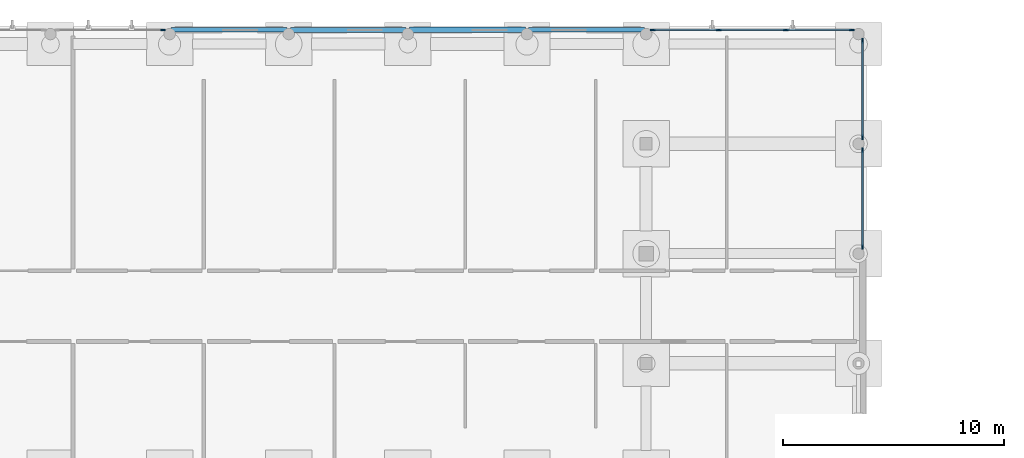
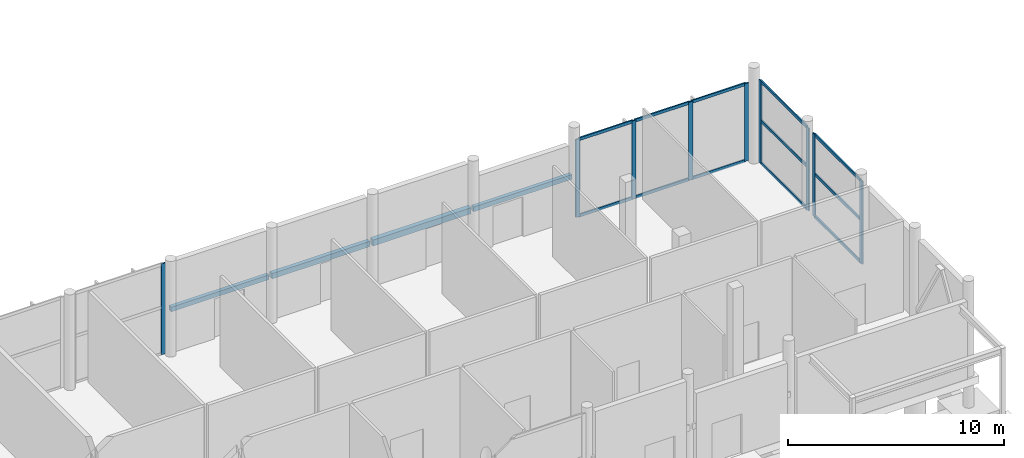
# One storey, part 38 of 88: 21 members, 4 beams, 4 elements without a shape of their own.
"""IFC4 building model written with IfcOpenShell, lengths in metres."""

from ifc_helpers import new_model, si_unit, direction, frame, origin, origin_2d, place, context, subcontext, project, spatial, rectangle, extrude, material, layer, layer_set, material_profile, profile_set, type_object, element, aggregate, save


model = new_model("IFC4")

# Units and contexts
model_context = context("Model", 3, precision=1e-05, world=origin(), true_north=direction((0.0, 1.0)))
body_context = subcontext(model_context, "Body", "Model", "MODEL_VIEW")
ifc_project = project(units=[si_unit("LENGTHUNIT", "METRE"), si_unit("AREAUNIT", "SQUARE_METRE"), si_unit("VOLUMEUNIT", "CUBIC_METRE"), si_unit("PLANEANGLEUNIT", "RADIAN"), si_unit("MASSUNIT", "GRAM", prefix="KILO")], contexts=[model_context])

# Site, building, storey
site_placement = place(None, origin())
site = spatial("IfcSite", under=ifc_project, at=site_placement, CompositionType="ELEMENT")
building_placement = place(site_placement, origin())
building = spatial("IfcBuilding", under=site, at=building_placement, Name="Birchvale Park Specialist Clinic", CompositionType="ELEMENT")
storey_placement = place(building_placement, origin())
storey = spatial("IfcBuildingStorey", under=building, at=storey_placement, Name="L00", CompositionType="ELEMENT", Elevation=0.0)

# Curtain wall, members
ifc_material_1 = material(Name="Thermally broken anodised aluminium", Category="aluminium")
ifc_layer = layer(ifc_material_1, 0.1650390625)
ifc_layer_set = layer_set([ifc_layer], Name="Thermally broken anodised aluminium")
curtain_wall_type = type_object("IfcCurtainWallType", Name="CW-S1", PredefinedType="USERDEFINED", material=ifc_layer_set)
curtain_wall_1_placement = place(storey_placement, origin())
curtain_wall_1 = element("IfcCurtainWall", 1, at=curtain_wall_1_placement, inside=storey, type_object=curtain_wall_type, Name="V3 L00 glazed curtain wall 36", ObjectType="STICK", PredefinedType="USERDEFINED")
ifc_material_profile_1 = material_profile(ifc_material_1, rectangle(XDim=0.074951171875, YDim=0.219970703125, at=origin_2d()), Name="CWM-75x220")
ifc_profile_set_1 = profile_set([ifc_material_profile_1], Name="Thermally broken anodised aluminium")
member_type_1 = type_object("IfcMemberType", Name="CWM4", PredefinedType="MULLION", material=ifc_profile_set_1)
member_1_placement = place(storey_placement, frame((99.635009765625, 101.7724609375, 0.0), z_axis=(0.0, 0.0, 1.0), x_axis=(-1.0, 0.0, 0.0)))
member_1 = element("IfcMember", 2, at=member_1_placement, type_object=member_type_1, Name="CW mullion 1", PredefinedType="MULLION", context=body_context, shape_type="SweptSolid", body=[
    extrude(rectangle(XDim=0.074951171875, YDim=0.219970703125, at=origin_2d()), origin(), (0.0, 0.0, 1.0), 4.669921875),
])
member_2_placement = place(storey_placement, frame((99.635009765625, 106.139892578125, 0.0), z_axis=(0.0, 0.0, 1.0), x_axis=(-1.0, 0.0, 0.0)))
member_2 = element("IfcMember", 3, at=member_2_placement, type_object=member_type_1, Name="CW mullion 2", PredefinedType="MULLION", context=body_context, shape_type="SweptSolid", body=[
    extrude(rectangle(XDim=0.074951171875, YDim=0.219970703125, at=origin_2d()), origin(), (0.0, 0.0, 1.0), 4.669921875),
])

curtain_wall_2_placement = place(storey_placement, origin())
curtain_wall_2 = element("IfcCurtainWall", 4, at=curtain_wall_2_placement, inside=storey, type_object=curtain_wall_type, Name="V3 L00 glazed curtain wall 37", ObjectType="STICK", PredefinedType="USERDEFINED")
member_3_placement = place(storey_placement, frame((99.635009765625, 106.735107421875, 0.0), z_axis=(0.0, 0.0, 1.0), x_axis=(-1.0, 0.0, 0.0)))
member_3 = element("IfcMember", 5, at=member_3_placement, type_object=member_type_1, Name="CW mullion 1", PredefinedType="MULLION", context=body_context, shape_type="SweptSolid", body=[
    extrude(rectangle(XDim=0.074951171875, YDim=0.219970703125, at=origin_2d()), origin(), (0.0, 0.0, 1.0), 4.669921875),
])
member_4_placement = place(storey_placement, frame((99.635009765625, 111.1025390625, 0.0), z_axis=(0.0, 0.0, 1.0), x_axis=(-1.0, 0.0, 0.0)))
member_4 = element("IfcMember", 6, at=member_4_placement, type_object=member_type_1, Name="CW mullion 2", PredefinedType="MULLION", context=body_context, shape_type="SweptSolid", body=[
    extrude(rectangle(XDim=0.074951171875, YDim=0.219970703125, at=origin_2d()), origin(), (0.0, 0.0, 1.0), 4.669921875),
])

curtain_wall_3_placement = place(storey_placement, origin())
curtain_wall_3 = element("IfcCurtainWall", 7, at=curtain_wall_3_placement, inside=storey, type_object=curtain_wall_type, Name="V3 L00 glazed curtain wall 38", ObjectType="STICK", PredefinedType="USERDEFINED")
member_5_placement = place(storey_placement, frame((99.152587890625, 111.5849609375, 0.0), z_axis=(0.0, 0.0, 1.0), x_axis=(0.0, -1.0, 0.0)))
member_5 = element("IfcMember", 8, at=member_5_placement, type_object=member_type_1, Name="CW mullion 1", PredefinedType="MULLION", context=body_context, shape_type="SweptSolid", body=[
    extrude(rectangle(XDim=0.074951171875, YDim=0.219970703125, at=origin_2d()), origin(), (0.0, 0.0, 1.0), 4.389892578125),
])
member_6_placement = place(storey_placement, frame((96.163330078125, 111.5849609375, 0.0), z_axis=(0.0, 0.0, 1.0), x_axis=(0.0, -1.0, 0.0)))
member_6 = element("IfcMember", 9, at=member_6_placement, type_object=member_type_1, Name="CW mullion 2", PredefinedType="MULLION", context=body_context, shape_type="SweptSolid", body=[
    extrude(rectangle(XDim=0.074951171875, YDim=0.219970703125, at=origin_2d()), origin(), (0.0, 0.0, 1.0), 4.389892578125),
])
member_7_placement = place(storey_placement, frame((93.13671875, 111.5849609375, 0.0), z_axis=(0.0, 0.0, 1.0), x_axis=(0.0, -1.0, 0.0)))
member_7 = element("IfcMember", 10, at=member_7_placement, type_object=member_type_1, Name="CW mullion 3", PredefinedType="MULLION", context=body_context, shape_type="SweptSolid", body=[
    extrude(rectangle(XDim=0.074951171875, YDim=0.219970703125, at=origin_2d()), origin(), (0.0, 0.0, 1.0), 4.389892578125),
])
member_8_placement = place(storey_placement, frame((90.1474609375, 111.5849609375, 0.0), z_axis=(0.0, 0.0, 1.0), x_axis=(0.0, -1.0, 0.0)))
member_8 = element("IfcMember", 11, at=member_8_placement, type_object=member_type_1, Name="CW mullion 4", PredefinedType="MULLION", context=body_context, shape_type="SweptSolid", body=[
    extrude(rectangle(XDim=0.074951171875, YDim=0.219970703125, at=origin_2d()), origin(), (0.0, 0.0, 1.0), 4.389892578125),
])

# Curtain wall, member
curtain_wall_4_placement = place(storey_placement, origin())
curtain_wall_4 = element("IfcCurtainWall", 12, at=curtain_wall_4_placement, inside=storey, type_object=curtain_wall_type, Name="V3 L00 glazed curtain wall 39", ObjectType="STICK", PredefinedType="USERDEFINED")
member_9_placement = place(storey_placement, frame((68.009521484375, 111.5849609375, 0.0), z_axis=(0.0, 0.0, 1.0), x_axis=(0.0, -1.0, 0.0)))
member_9 = element("IfcMember", 13, at=member_9_placement, type_object=member_type_1, Name="CW mullion 1", PredefinedType="MULLION", context=body_context, shape_type="SweptSolid", body=[
    extrude(rectangle(XDim=0.074951171875, YDim=0.219970703125, at=origin_2d()), origin(), (0.0, 0.0, 1.0), 5.125),
])
aggregate(curtain_wall_4, [member_9])

# Member
ifc_material_profile_2 = material_profile(ifc_material_1, rectangle(XDim=0.074951171875, YDim=0.1650390625, at=origin_2d()), Name="CWT-75x165")
ifc_profile_set_2 = profile_set([ifc_material_profile_2], Name="Thermally broken anodised aluminium")
member_type_2 = type_object("IfcMemberType", Name="CWT4", PredefinedType="USERDEFINED", material=ifc_profile_set_2)
member_10_placement = place(storey_placement, frame((99.635009765625, 101.81005859375, 0.03759765625), z_axis=(0.0, 1.0, 0.0), x_axis=(-1.0, 0.0, 0.0)))
member_10 = element("IfcMember", 14, at=member_10_placement, type_object=member_type_2, Name="CW transom 1.1", ObjectType="TRANSOM", PredefinedType="USERDEFINED", context=body_context, shape_type="SweptSolid", body=[
    extrude(rectangle(XDim=0.074951171875, YDim=0.1650390625, at=origin_2d()), origin(), (0.0, 0.0, 1.0), 4.29248046875),
])

member_11_placement = place(storey_placement, frame((99.635009765625, 101.81005859375, 2.428466796875), z_axis=(0.0, 1.0, 0.0), x_axis=(-1.0, 0.0, 0.0)))
member_11 = element("IfcMember", 15, at=member_11_placement, type_object=member_type_2, Name="CW transom 1.2", ObjectType="TRANSOM", PredefinedType="USERDEFINED", context=body_context, shape_type="SweptSolid", body=[
    extrude(rectangle(XDim=0.074951171875, YDim=0.1650390625, at=origin_2d()), origin(), (0.0, 0.0, 1.0), 4.29248046875),
])

member_12_placement = place(storey_placement, frame((99.635009765625, 101.81005859375, 4.632568359375), z_axis=(0.0, 1.0, 0.0), x_axis=(-1.0, 0.0, 0.0)))
member_12 = element("IfcMember", 16, at=member_12_placement, type_object=member_type_2, Name="CW transom 1.3", ObjectType="TRANSOM", PredefinedType="USERDEFINED", context=body_context, shape_type="SweptSolid", body=[
    extrude(rectangle(XDim=0.074951171875, YDim=0.1650390625, at=origin_2d()), origin(), (0.0, 0.0, 1.0), 4.29248046875),
])

aggregate(curtain_wall_1, [member_1, member_2, member_10, member_11, member_12])

member_13_placement = place(storey_placement, frame((99.635009765625, 106.7724609375, 0.03759765625), z_axis=(0.0, 1.0, 0.0), x_axis=(-1.0, 0.0, 0.0)))
member_13 = element("IfcMember", 17, at=member_13_placement, type_object=member_type_2, Name="CW transom 1.1", ObjectType="TRANSOM", PredefinedType="USERDEFINED", context=body_context, shape_type="SweptSolid", body=[
    extrude(rectangle(XDim=0.074951171875, YDim=0.1650390625, at=origin_2d()), origin(), (0.0, 0.0, 1.0), 4.29248046875),
])

member_14_placement = place(storey_placement, frame((99.635009765625, 106.7724609375, 2.428466796875), z_axis=(0.0, 1.0, 0.0), x_axis=(-1.0, 0.0, 0.0)))
member_14 = element("IfcMember", 18, at=member_14_placement, type_object=member_type_2, Name="CW transom 1.2", ObjectType="TRANSOM", PredefinedType="USERDEFINED", context=body_context, shape_type="SweptSolid", body=[
    extrude(rectangle(XDim=0.074951171875, YDim=0.1650390625, at=origin_2d()), origin(), (0.0, 0.0, 1.0), 4.29248046875),
])

member_15_placement = place(storey_placement, frame((99.635009765625, 106.7724609375, 4.632568359375), z_axis=(0.0, 1.0, 0.0), x_axis=(-1.0, 0.0, 0.0)))
member_15 = element("IfcMember", 19, at=member_15_placement, type_object=member_type_2, Name="CW transom 1.3", ObjectType="TRANSOM", PredefinedType="USERDEFINED", context=body_context, shape_type="SweptSolid", body=[
    extrude(rectangle(XDim=0.074951171875, YDim=0.1650390625, at=origin_2d()), origin(), (0.0, 0.0, 1.0), 4.29248046875),
])

aggregate(curtain_wall_2, [member_3, member_4, member_13, member_14, member_15])

member_16_placement = place(storey_placement, frame((99.114990234375, 111.5849609375, 0.03759765625), z_axis=(-1.0, 0.0, 0.0), x_axis=(0.0, -1.0, 0.0)))
member_16 = element("IfcMember", 20, at=member_16_placement, type_object=member_type_2, Name="CW transom 1.1", ObjectType="TRANSOM", PredefinedType="USERDEFINED", context=body_context, shape_type="SweptSolid", body=[
    extrude(rectangle(XDim=0.074951171875, YDim=0.1650390625, at=origin_2d()), origin(), (0.0, 0.0, 1.0), 2.9140625),
])

member_17_placement = place(storey_placement, frame((99.114990234375, 111.5849609375, 4.3525390625), z_axis=(-1.0, 0.0, 0.0), x_axis=(0.0, -1.0, 0.0)))
member_17 = element("IfcMember", 21, at=member_17_placement, type_object=member_type_2, Name="CW transom 1.2", ObjectType="TRANSOM", PredefinedType="USERDEFINED", context=body_context, shape_type="SweptSolid", body=[
    extrude(rectangle(XDim=0.074951171875, YDim=0.1650390625, at=origin_2d()), origin(), (0.0, 0.0, 1.0), 2.9140625),
])

member_18_placement = place(storey_placement, frame((96.125732421875, 111.5849609375, 0.03759765625), z_axis=(-1.0, 0.0, 0.0), x_axis=(0.0, -1.0, 0.0)))
member_18 = element("IfcMember", 22, at=member_18_placement, type_object=member_type_2, Name="CW transom 2.1", ObjectType="TRANSOM", PredefinedType="USERDEFINED", context=body_context, shape_type="SweptSolid", body=[
    extrude(rectangle(XDim=0.074951171875, YDim=0.1650390625, at=origin_2d()), origin(), (0.0, 0.0, 1.0), 2.95166015625),
])

member_19_placement = place(storey_placement, frame((96.125732421875, 111.5849609375, 4.3525390625), z_axis=(-1.0, 0.0, 0.0), x_axis=(0.0, -1.0, 0.0)))
member_19 = element("IfcMember", 23, at=member_19_placement, type_object=member_type_2, Name="CW transom 2.2", ObjectType="TRANSOM", PredefinedType="USERDEFINED", context=body_context, shape_type="SweptSolid", body=[
    extrude(rectangle(XDim=0.074951171875, YDim=0.1650390625, at=origin_2d()), origin(), (0.0, 0.0, 1.0), 2.95166015625),
])

member_20_placement = place(storey_placement, frame((93.09912109375, 111.5849609375, 0.03759765625), z_axis=(-1.0, 0.0, 0.0), x_axis=(0.0, -1.0, 0.0)))
member_20 = element("IfcMember", 24, at=member_20_placement, type_object=member_type_2, Name="CW transom 3.1", ObjectType="TRANSOM", PredefinedType="USERDEFINED", context=body_context, shape_type="SweptSolid", body=[
    extrude(rectangle(XDim=0.074951171875, YDim=0.1650390625, at=origin_2d()), origin(), (0.0, 0.0, 1.0), 2.9140625),
])

member_21_placement = place(storey_placement, frame((93.09912109375, 111.5849609375, 4.3525390625), z_axis=(-1.0, 0.0, 0.0), x_axis=(0.0, -1.0, 0.0)))
member_21 = element("IfcMember", 25, at=member_21_placement, type_object=member_type_2, Name="CW transom 3.2", ObjectType="TRANSOM", PredefinedType="USERDEFINED", context=body_context, shape_type="SweptSolid", body=[
    extrude(rectangle(XDim=0.074951171875, YDim=0.1650390625, at=origin_2d()), origin(), (0.0, 0.0, 1.0), 2.9140625),
])

aggregate(curtain_wall_3, [member_5, member_6, member_7, member_8, member_16, member_17, member_18, member_19, member_20, member_21])

# Beams
ifc_material_2 = material(Name="Concrete C40/50", Category="concrete")
ifc_material_profile_3 = material_profile(ifc_material_2, rectangle(XDim=0.25, YDim=0.340087890625, at=origin_2d()), Name="LNT-250x340")
ifc_profile_set_3 = profile_set([ifc_material_profile_3], Name="Concrete C40/50")
beam_type_1 = type_object("IfcBeamType", Name="LNT-EXT-LN1", PredefinedType="LINTEL", material=ifc_profile_set_3)
beam_1_placement = place(storey_placement, frame((84.389404296875, 111.5849609375, 2.419921875), z_axis=(-1.0, 0.0, 0.0), x_axis=(0.0, -1.0, 0.0)))
element("IfcBeam", 26, at=beam_1_placement, inside=storey, type_object=beam_type_1, Name="V3 L00 exit opening lintel 13", PredefinedType="LINTEL", context=body_context, shape_type="SweptSolid", body=[
    extrude(rectangle(XDim=0.25, YDim=0.340087890625, at=origin_2d()), origin(), (0.0, 0.0, 1.0), 5.23583984375),
])
ifc_material_profile_4 = material_profile(ifc_material_2, rectangle(XDim=0.219970703125, YDim=0.300048828125, at=origin_2d()), Name="LNT-220x300")
ifc_profile_set_4 = profile_set([ifc_material_profile_4], Name="Concrete C40/50")
beam_type_2 = type_object("IfcBeamType", Name="LNT-EXT-LN2", PredefinedType="LINTEL", material=ifc_profile_set_4)
beam_2_placement = place(storey_placement, frame((79.003662109375, 111.5849609375, 2.419921875), z_axis=(-1.0, 0.0, 0.0), x_axis=(0.0, -1.0, 0.0)))
element("IfcBeam", 27, at=beam_2_placement, inside=storey, type_object=beam_type_2, Name="V3 L00 exit opening lintel 14", PredefinedType="LINTEL", context=body_context, shape_type="SweptSolid", body=[
    extrude(rectangle(XDim=0.219970703125, YDim=0.300048828125, at=origin_2d()), origin(), (0.0, 0.0, 1.0), 5.23583984375),
])
ifc_material_profile_5 = material_profile(ifc_material_2, rectangle(XDim=0.199951171875, YDim=0.260009765625, at=origin_2d()), Name="LNT-200x260")
ifc_profile_set_5 = profile_set([ifc_material_profile_5], Name="Concrete C40/50")
beam_type_3 = type_object("IfcBeamType", Name="LNT-EXT-LN3", PredefinedType="LINTEL", material=ifc_profile_set_5)
beam_3_placement = place(storey_placement, frame((89.77490234375, 111.5849609375, 2.419921875), z_axis=(-1.0, 0.0, 0.0), x_axis=(0.0, -1.0, 0.0)))
element("IfcBeam", 28, at=beam_3_placement, inside=storey, type_object=beam_type_3, Name="V3 L00 exit opening lintel 12", PredefinedType="LINTEL", context=body_context, shape_type="SweptSolid", body=[
    extrude(rectangle(XDim=0.199951171875, YDim=0.260009765625, at=origin_2d()), origin(), (0.0, 0.0, 1.0), 5.235595703125),
])
beam_4_placement = place(storey_placement, frame((73.617919921875, 111.5849609375, 2.419921875), z_axis=(-1.0, 0.0, 0.0), x_axis=(0.0, -1.0, 0.0)))
element("IfcBeam", 29, at=beam_4_placement, inside=storey, type_object=beam_type_3, Name="V3 L00 exit opening lintel 15", PredefinedType="LINTEL", context=body_context, shape_type="SweptSolid", body=[
    extrude(rectangle(XDim=0.199951171875, YDim=0.260009765625, at=origin_2d()), origin(), (0.0, 0.0, 1.0), 5.23583984375),
])

save(model, "model.ifc")
